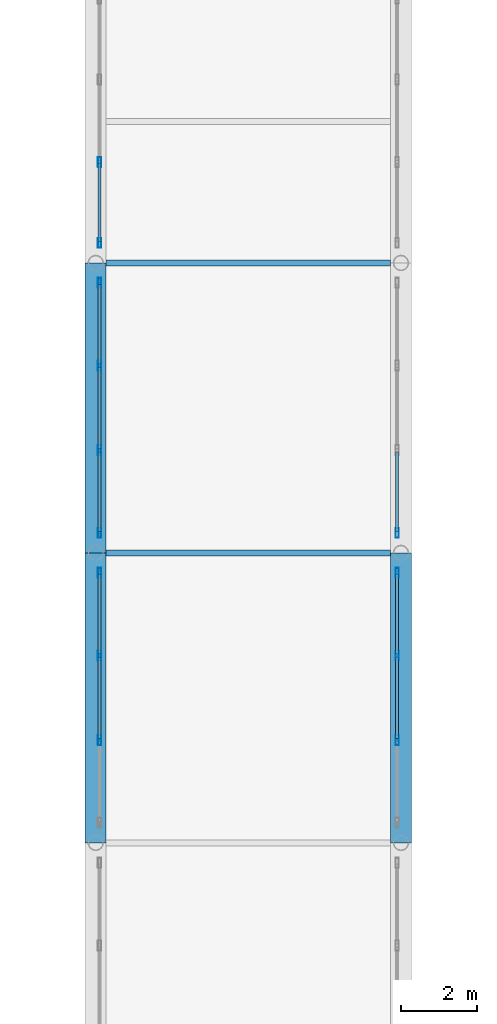
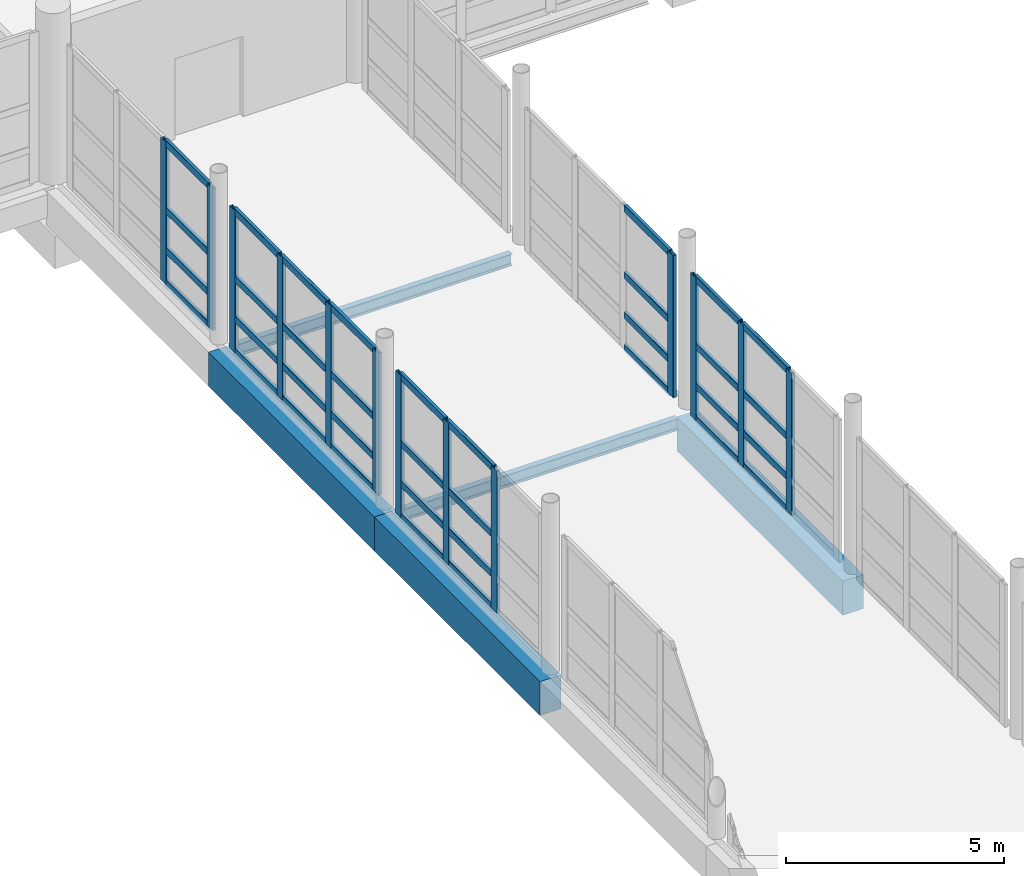
# One storey, part 58 of 147: 49 members, 5 beams, 5 elements without a shape of their own.
"""IFC4 building model written with IfcOpenShell, lengths in metres."""

from ifc_helpers import new_model, si_unit, direction, frame, origin, origin_2d, place, context, subcontext, project, spatial, rectangle, hollow_rectangle, i_section, extrude, material, material_profile, profile_set, type_object, element, aggregate, save


model = new_model("IFC4")

# Units and contexts
model_context = context("Model", 3, precision=1e-05, world=origin(), true_north=direction((0.0, 1.0)))
body_context = subcontext(model_context, "Body", "Model", "MODEL_VIEW")
ifc_project = project(units=[si_unit("LENGTHUNIT", "METRE"), si_unit("AREAUNIT", "SQUARE_METRE"), si_unit("VOLUMEUNIT", "CUBIC_METRE"), si_unit("PLANEANGLEUNIT", "RADIAN"), si_unit("MASSUNIT", "GRAM", prefix="KILO")], contexts=[model_context])

# Site, building, storey
site_placement = place(None, origin())
site = spatial("IfcSite", under=ifc_project, at=site_placement, CompositionType="ELEMENT")
building_placement = place(site_placement, origin())
building = spatial("IfcBuilding", under=site, at=building_placement, Name="Khelvaren Railside Concert Hall", CompositionType="ELEMENT")
storey_placement = place(building_placement, frame((0.0, 0.0, 5.39990234375)))
storey = spatial("IfcBuildingStorey", under=building, at=storey_placement, Name="L01", CompositionType="ELEMENT", Elevation=5.39990234375)

# Curtain wall, members
ifc_material_1 = material(Name="Acoustic laminated crystal facade glass", Category="glass")
curtain_wall_type = type_object("IfcCurtainWallType", Name="CW78", PredefinedType="USERDEFINED", material=ifc_material_1)
curtain_wall_1_placement = place(storey_placement, origin())
curtain_wall_1 = element("IfcCurtainWall", 1, at=curtain_wall_1_placement, inside=storey, type_object=curtain_wall_type, Name="Unitised Curtain Wall CW-LB4-L01-W4", ObjectType="UNITISED CURTAIN WALL", PredefinedType="USERDEFINED")
ifc_material_2 = material(Name="Anodised architectural aluminium 6063-T6", Category="aluminium")
ifc_material_profile_1 = material_profile(ifc_material_2, hollow_rectangle(XDim=0.0849609375, YDim=0.260009765625, WallThickness=0.0048828125, InnerFilletRadius=0.0029296875, OuterFilletRadius=0.0048828125, at=origin_2d()), Name="CWM 85x260x5")
ifc_profile_set_1 = profile_set([ifc_material_profile_1], Name="Anodised architectural aluminium 6063-T6")
member_type_1 = type_object("IfcMemberType", Name="CWM40", PredefinedType="MULLION", material=ifc_profile_set_1)
member_1_placement = place(storey_placement, frame((160.10009765625, 63.493408203125, 0.0), z_axis=(0.0, 0.0, 1.0), x_axis=(-1.0, 0.0, 0.0)))
member_1 = element("IfcMember", 2, at=member_1_placement, type_object=member_type_1, Name="CW78 mullion 2", PredefinedType="MULLION", context=body_context, shape_type="SweptSolid", body=[
    extrude(hollow_rectangle(XDim=0.0849609375, YDim=0.260009765625, WallThickness=0.0048828125, InnerFilletRadius=0.0029296875, OuterFilletRadius=0.0048828125, at=origin_2d()), origin(), (0.0, 0.0, 1.0), 3.97998046875),
])
member_2_placement = place(storey_placement, frame((160.10009765625, 65.706787109375, 0.0), z_axis=(0.0, 0.0, 1.0), x_axis=(-1.0, 0.0, 0.0)))
member_2 = element("IfcMember", 3, at=member_2_placement, type_object=member_type_1, Name="CW78 mullion 3", PredefinedType="MULLION", context=body_context, shape_type="SweptSolid", body=[
    extrude(hollow_rectangle(XDim=0.0849609375, YDim=0.260009765625, WallThickness=0.0048828125, InnerFilletRadius=0.0029296875, OuterFilletRadius=0.0048828125, at=origin_2d()), origin(), (0.0, 0.0, 1.0), 3.97998046875),
])
member_3_placement = place(storey_placement, frame((160.10009765625, 67.87744140625, 0.0), z_axis=(0.0, 0.0, 1.0), x_axis=(-1.0, 0.0, 0.0)))
member_3 = element("IfcMember", 4, at=member_3_placement, type_object=member_type_1, Name="CW78 mullion 4", PredefinedType="MULLION", context=body_context, shape_type="SweptSolid", body=[
    extrude(hollow_rectangle(XDim=0.0849609375, YDim=0.260009765625, WallThickness=0.0048828125, InnerFilletRadius=0.0029296875, OuterFilletRadius=0.0048828125, at=origin_2d()), origin(), (0.0, 0.0, 1.0), 3.97998046875),
])

curtain_wall_2_placement = place(storey_placement, origin())
curtain_wall_2 = element("IfcCurtainWall", 5, at=curtain_wall_2_placement, inside=storey, type_object=curtain_wall_type, Name="Unitised Curtain Wall CW-LB4-L01-E4", ObjectType="UNITISED CURTAIN WALL", PredefinedType="USERDEFINED")
member_4_placement = place(storey_placement, frame((167.89990234375, 67.87744140625, 0.0), z_axis=(0.0, 0.0, 1.0), x_axis=(1.0, 0.0, 0.0)))
member_4 = element("IfcMember", 6, at=member_4_placement, type_object=member_type_1, Name="CW78 mullion 1", PredefinedType="MULLION", context=body_context, shape_type="SweptSolid", body=[
    extrude(hollow_rectangle(XDim=0.0849609375, YDim=0.260009765625, WallThickness=0.0048828125, InnerFilletRadius=0.0029296875, OuterFilletRadius=0.0048828125, at=origin_2d()), origin(), (0.0, 0.0, 1.0), 3.97998046875),
])
member_5_placement = place(storey_placement, frame((167.89990234375, 65.706787109375, 0.0), z_axis=(0.0, 0.0, 1.0), x_axis=(1.0, 0.0, 0.0)))
member_5 = element("IfcMember", 7, at=member_5_placement, type_object=member_type_1, Name="CW78 mullion 2", PredefinedType="MULLION", context=body_context, shape_type="SweptSolid", body=[
    extrude(hollow_rectangle(XDim=0.0849609375, YDim=0.260009765625, WallThickness=0.0048828125, InnerFilletRadius=0.0029296875, OuterFilletRadius=0.0048828125, at=origin_2d()), origin(), (0.0, 0.0, 1.0), 3.97998046875),
])
member_6_placement = place(storey_placement, frame((167.89990234375, 63.493408203125, 0.0), z_axis=(0.0, 0.0, 1.0), x_axis=(1.0, 0.0, 0.0)))
member_6 = element("IfcMember", 8, at=member_6_placement, type_object=member_type_1, Name="CW78 mullion 3", PredefinedType="MULLION", context=body_context, shape_type="SweptSolid", body=[
    extrude(hollow_rectangle(XDim=0.0849609375, YDim=0.260009765625, WallThickness=0.0048828125, InnerFilletRadius=0.0029296875, OuterFilletRadius=0.0048828125, at=origin_2d()), origin(), (0.0, 0.0, 1.0), 3.97998046875),
])

curtain_wall_3_placement = place(storey_placement, origin())
curtain_wall_3 = element("IfcCurtainWall", 9, at=curtain_wall_3_placement, inside=storey, type_object=curtain_wall_type, Name="Unitised Curtain Wall CW-LB4-L01-W5", ObjectType="UNITISED CURTAIN WALL", PredefinedType="USERDEFINED")
member_7_placement = place(storey_placement, frame((160.10009765625, 68.922607421875, 0.0), z_axis=(0.0, 0.0, 1.0), x_axis=(-1.0, 0.0, 0.0)))
member_7 = element("IfcMember", 10, at=member_7_placement, type_object=member_type_1, Name="CW78 mullion 1", PredefinedType="MULLION", context=body_context, shape_type="SweptSolid", body=[
    extrude(hollow_rectangle(XDim=0.0849609375, YDim=0.260009765625, WallThickness=0.0048828125, InnerFilletRadius=0.0029296875, OuterFilletRadius=0.0048828125, at=origin_2d()), origin(), (0.0, 0.0, 1.0), 3.97998046875),
])
member_8_placement = place(storey_placement, frame((160.10009765625, 71.09326171875, 0.0), z_axis=(0.0, 0.0, 1.0), x_axis=(-1.0, 0.0, 0.0)))
member_8 = element("IfcMember", 11, at=member_8_placement, type_object=member_type_1, Name="CW78 mullion 2", PredefinedType="MULLION", context=body_context, shape_type="SweptSolid", body=[
    extrude(hollow_rectangle(XDim=0.0849609375, YDim=0.260009765625, WallThickness=0.0048828125, InnerFilletRadius=0.0029296875, OuterFilletRadius=0.0048828125, at=origin_2d()), origin(), (0.0, 0.0, 1.0), 3.97998046875),
])
member_9_placement = place(storey_placement, frame((160.10009765625, 73.306640625, 0.0), z_axis=(0.0, 0.0, 1.0), x_axis=(-1.0, 0.0, 0.0)))
member_9 = element("IfcMember", 12, at=member_9_placement, type_object=member_type_1, Name="CW78 mullion 3", PredefinedType="MULLION", context=body_context, shape_type="SweptSolid", body=[
    extrude(hollow_rectangle(XDim=0.0849609375, YDim=0.260009765625, WallThickness=0.0048828125, InnerFilletRadius=0.0029296875, OuterFilletRadius=0.0048828125, at=origin_2d()), origin(), (0.0, 0.0, 1.0), 3.97998046875),
])
member_10_placement = place(storey_placement, frame((160.10009765625, 75.4775390625, 0.0), z_axis=(0.0, 0.0, 1.0), x_axis=(-1.0, 0.0, 0.0)))
member_10 = element("IfcMember", 13, at=member_10_placement, type_object=member_type_1, Name="CW78 mullion 4", PredefinedType="MULLION", context=body_context, shape_type="SweptSolid", body=[
    extrude(hollow_rectangle(XDim=0.0849609375, YDim=0.260009765625, WallThickness=0.0048828125, InnerFilletRadius=0.0029296875, OuterFilletRadius=0.0048828125, at=origin_2d()), origin(), (0.0, 0.0, 1.0), 3.97998046875),
])

# Curtain wall, member
curtain_wall_4_placement = place(storey_placement, origin())
curtain_wall_4 = element("IfcCurtainWall", 14, at=curtain_wall_4_placement, inside=storey, type_object=curtain_wall_type, Name="Unitised Curtain Wall CW-LB4-L01-E5", ObjectType="UNITISED CURTAIN WALL", PredefinedType="USERDEFINED")
member_11_placement = place(storey_placement, frame((167.89990234375, 68.922607421875, 0.0), z_axis=(0.0, 0.0, 1.0), x_axis=(1.0, 0.0, 0.0)))
member_11 = element("IfcMember", 15, at=member_11_placement, type_object=member_type_1, Name="CW78 mullion 4", PredefinedType="MULLION", context=body_context, shape_type="SweptSolid", body=[
    extrude(hollow_rectangle(XDim=0.0849609375, YDim=0.260009765625, WallThickness=0.0048828125, InnerFilletRadius=0.0029296875, OuterFilletRadius=0.0048828125, at=origin_2d()), origin(), (0.0, 0.0, 1.0), 3.97998046875),
])

# Curtain wall, members
curtain_wall_5_placement = place(storey_placement, origin())
curtain_wall_5 = element("IfcCurtainWall", 16, at=curtain_wall_5_placement, inside=storey, type_object=curtain_wall_type, Name="Unitised Curtain Wall CW-LB4-L01-W6", ObjectType="UNITISED CURTAIN WALL", PredefinedType="USERDEFINED")
member_12_placement = place(storey_placement, frame((160.10009765625, 76.5224609375, 0.0), z_axis=(0.0, 0.0, 1.0), x_axis=(-1.0, 0.0, 0.0)))
member_12 = element("IfcMember", 17, at=member_12_placement, type_object=member_type_1, Name="CW78 mullion 1", PredefinedType="MULLION", context=body_context, shape_type="SweptSolid", body=[
    extrude(hollow_rectangle(XDim=0.0849609375, YDim=0.260009765625, WallThickness=0.0048828125, InnerFilletRadius=0.0029296875, OuterFilletRadius=0.0048828125, at=origin_2d()), origin(), (0.0, 0.0, 1.0), 3.97998046875),
])
member_13_placement = place(storey_placement, frame((160.10009765625, 78.643310546875, 0.0), z_axis=(0.0, 0.0, 1.0), x_axis=(-1.0, 0.0, 0.0)))
member_13 = element("IfcMember", 18, at=member_13_placement, type_object=member_type_1, Name="CW78 mullion 2", PredefinedType="MULLION", context=body_context, shape_type="SweptSolid", body=[
    extrude(hollow_rectangle(XDim=0.0849609375, YDim=0.260009765625, WallThickness=0.0048828125, InnerFilletRadius=0.0029296875, OuterFilletRadius=0.0048828125, at=origin_2d()), origin(), (0.0, 0.0, 1.0), 3.97998046875),
])

# Member
ifc_material_profile_2 = material_profile(ifc_material_2, hollow_rectangle(XDim=0.0849609375, YDim=0.18994140625, WallThickness=0.0048828125, InnerFilletRadius=0.0029296875, OuterFilletRadius=0.0048828125, at=origin_2d()), Name="CWT 85x190x5")
ifc_profile_set_2 = profile_set([ifc_material_profile_2], Name="Anodised architectural aluminium 6063-T6")
member_type_2 = type_object("IfcMemberType", Name="CWT31", PredefinedType="USERDEFINED", material=ifc_profile_set_2)
member_14_placement = place(storey_placement, frame((160.10009765625, 63.535888671875, 0.04248046875), z_axis=(0.0, 1.0, 0.0), x_axis=(-1.0, 0.0, 0.0)))
member_14 = element("IfcMember", 19, at=member_14_placement, type_object=member_type_2, Name="CW78 transom 2.1", ObjectType="TRANSOM", PredefinedType="USERDEFINED", context=body_context, shape_type="SweptSolid", body=[
    extrude(hollow_rectangle(XDim=0.0849609375, YDim=0.18994140625, WallThickness=0.0048828125, InnerFilletRadius=0.0029296875, OuterFilletRadius=0.0048828125, at=origin_2d()), origin(), (0.0, 0.0, 1.0), 2.128173828125),
])

member_15_placement = place(storey_placement, frame((160.10009765625, 63.535888671875, 0.9501953125), z_axis=(0.0, 1.0, 0.0), x_axis=(-1.0, 0.0, 0.0)))
member_15 = element("IfcMember", 20, at=member_15_placement, type_object=member_type_2, Name="CW78 transom 2.2", ObjectType="TRANSOM", PredefinedType="USERDEFINED", context=body_context, shape_type="SweptSolid", body=[
    extrude(hollow_rectangle(XDim=0.0849609375, YDim=0.18994140625, WallThickness=0.0048828125, InnerFilletRadius=0.0029296875, OuterFilletRadius=0.0048828125, at=origin_2d()), origin(), (0.0, 0.0, 1.0), 2.128173828125),
])

member_16_placement = place(storey_placement, frame((160.10009765625, 63.535888671875, 2.069580078125), z_axis=(0.0, 1.0, 0.0), x_axis=(-1.0, 0.0, 0.0)))
member_16 = element("IfcMember", 21, at=member_16_placement, type_object=member_type_2, Name="CW78 transom 2.3", ObjectType="TRANSOM", PredefinedType="USERDEFINED", context=body_context, shape_type="SweptSolid", body=[
    extrude(hollow_rectangle(XDim=0.0849609375, YDim=0.18994140625, WallThickness=0.0048828125, InnerFilletRadius=0.0029296875, OuterFilletRadius=0.0048828125, at=origin_2d()), origin(), (0.0, 0.0, 1.0), 2.128173828125),
])

member_17_placement = place(storey_placement, frame((160.10009765625, 63.535888671875, 3.9375), z_axis=(0.0, 1.0, 0.0), x_axis=(-1.0, 0.0, 0.0)))
member_17 = element("IfcMember", 22, at=member_17_placement, type_object=member_type_2, Name="CW78 transom 2.4", ObjectType="TRANSOM", PredefinedType="USERDEFINED", context=body_context, shape_type="SweptSolid", body=[
    extrude(hollow_rectangle(XDim=0.0849609375, YDim=0.18994140625, WallThickness=0.0048828125, InnerFilletRadius=0.0029296875, OuterFilletRadius=0.0048828125, at=origin_2d()), origin(), (0.0, 0.0, 1.0), 2.128173828125),
])

member_18_placement = place(storey_placement, frame((160.10009765625, 65.749267578125, 0.04248046875), z_axis=(0.0, 1.0, 0.0), x_axis=(-1.0, 0.0, 0.0)))
member_18 = element("IfcMember", 23, at=member_18_placement, type_object=member_type_2, Name="CW78 transom 3.1", ObjectType="TRANSOM", PredefinedType="USERDEFINED", context=body_context, shape_type="SweptSolid", body=[
    extrude(hollow_rectangle(XDim=0.0849609375, YDim=0.18994140625, WallThickness=0.0048828125, InnerFilletRadius=0.0029296875, OuterFilletRadius=0.0048828125, at=origin_2d()), origin(), (0.0, 0.0, 1.0), 2.085693359375),
])

member_19_placement = place(storey_placement, frame((160.10009765625, 65.749267578125, 0.9501953125), z_axis=(0.0, 1.0, 0.0), x_axis=(-1.0, 0.0, 0.0)))
member_19 = element("IfcMember", 24, at=member_19_placement, type_object=member_type_2, Name="CW78 transom 3.2", ObjectType="TRANSOM", PredefinedType="USERDEFINED", context=body_context, shape_type="SweptSolid", body=[
    extrude(hollow_rectangle(XDim=0.0849609375, YDim=0.18994140625, WallThickness=0.0048828125, InnerFilletRadius=0.0029296875, OuterFilletRadius=0.0048828125, at=origin_2d()), origin(), (0.0, 0.0, 1.0), 2.085693359375),
])

member_20_placement = place(storey_placement, frame((160.10009765625, 65.749267578125, 2.069580078125), z_axis=(0.0, 1.0, 0.0), x_axis=(-1.0, 0.0, 0.0)))
member_20 = element("IfcMember", 25, at=member_20_placement, type_object=member_type_2, Name="CW78 transom 3.3", ObjectType="TRANSOM", PredefinedType="USERDEFINED", context=body_context, shape_type="SweptSolid", body=[
    extrude(hollow_rectangle(XDim=0.0849609375, YDim=0.18994140625, WallThickness=0.0048828125, InnerFilletRadius=0.0029296875, OuterFilletRadius=0.0048828125, at=origin_2d()), origin(), (0.0, 0.0, 1.0), 2.085693359375),
])

member_21_placement = place(storey_placement, frame((160.10009765625, 65.749267578125, 3.9375), z_axis=(0.0, 1.0, 0.0), x_axis=(-1.0, 0.0, 0.0)))
member_21 = element("IfcMember", 26, at=member_21_placement, type_object=member_type_2, Name="CW78 transom 3.4", ObjectType="TRANSOM", PredefinedType="USERDEFINED", context=body_context, shape_type="SweptSolid", body=[
    extrude(hollow_rectangle(XDim=0.0849609375, YDim=0.18994140625, WallThickness=0.0048828125, InnerFilletRadius=0.0029296875, OuterFilletRadius=0.0048828125, at=origin_2d()), origin(), (0.0, 0.0, 1.0), 2.085693359375),
])

aggregate(curtain_wall_1, [member_1, member_2, member_3, member_14, member_15, member_16, member_17, member_18, member_19, member_20, member_21])

member_22_placement = place(storey_placement, frame((167.89990234375, 67.8349609375, 0.04248046875), z_axis=(0.0, -1.0, 0.0), x_axis=(1.0, 0.0, 0.0)))
member_22 = element("IfcMember", 27, at=member_22_placement, type_object=member_type_2, Name="CW78 transom 1.1", ObjectType="TRANSOM", PredefinedType="USERDEFINED", context=body_context, shape_type="SweptSolid", body=[
    extrude(hollow_rectangle(XDim=0.0849609375, YDim=0.18994140625, WallThickness=0.0048828125, InnerFilletRadius=0.0029296875, OuterFilletRadius=0.0048828125, at=origin_2d()), origin(), (0.0, 0.0, 1.0), 2.085693359375),
])

member_23_placement = place(storey_placement, frame((167.89990234375, 67.8349609375, 0.9501953125), z_axis=(0.0, -1.0, 0.0), x_axis=(1.0, 0.0, 0.0)))
member_23 = element("IfcMember", 28, at=member_23_placement, type_object=member_type_2, Name="CW78 transom 1.2", ObjectType="TRANSOM", PredefinedType="USERDEFINED", context=body_context, shape_type="SweptSolid", body=[
    extrude(hollow_rectangle(XDim=0.0849609375, YDim=0.18994140625, WallThickness=0.0048828125, InnerFilletRadius=0.0029296875, OuterFilletRadius=0.0048828125, at=origin_2d()), origin(), (0.0, 0.0, 1.0), 2.085693359375),
])

member_24_placement = place(storey_placement, frame((167.89990234375, 67.8349609375, 2.069580078125), z_axis=(0.0, -1.0, 0.0), x_axis=(1.0, 0.0, 0.0)))
member_24 = element("IfcMember", 29, at=member_24_placement, type_object=member_type_2, Name="CW78 transom 1.3", ObjectType="TRANSOM", PredefinedType="USERDEFINED", context=body_context, shape_type="SweptSolid", body=[
    extrude(hollow_rectangle(XDim=0.0849609375, YDim=0.18994140625, WallThickness=0.0048828125, InnerFilletRadius=0.0029296875, OuterFilletRadius=0.0048828125, at=origin_2d()), origin(), (0.0, 0.0, 1.0), 2.085693359375),
])

member_25_placement = place(storey_placement, frame((167.89990234375, 67.8349609375, 3.9375), z_axis=(0.0, -1.0, 0.0), x_axis=(1.0, 0.0, 0.0)))
member_25 = element("IfcMember", 30, at=member_25_placement, type_object=member_type_2, Name="CW78 transom 1.4", ObjectType="TRANSOM", PredefinedType="USERDEFINED", context=body_context, shape_type="SweptSolid", body=[
    extrude(hollow_rectangle(XDim=0.0849609375, YDim=0.18994140625, WallThickness=0.0048828125, InnerFilletRadius=0.0029296875, OuterFilletRadius=0.0048828125, at=origin_2d()), origin(), (0.0, 0.0, 1.0), 2.085693359375),
])

member_26_placement = place(storey_placement, frame((167.89990234375, 65.6640625, 0.04248046875), z_axis=(0.0, -1.0, 0.0), x_axis=(1.0, 0.0, 0.0)))
member_26 = element("IfcMember", 31, at=member_26_placement, type_object=member_type_2, Name="CW78 transom 2.1", ObjectType="TRANSOM", PredefinedType="USERDEFINED", context=body_context, shape_type="SweptSolid", body=[
    extrude(hollow_rectangle(XDim=0.0849609375, YDim=0.18994140625, WallThickness=0.0048828125, InnerFilletRadius=0.0029296875, OuterFilletRadius=0.0048828125, at=origin_2d()), origin(), (0.0, 0.0, 1.0), 2.128173828125),
])

member_27_placement = place(storey_placement, frame((167.89990234375, 65.6640625, 0.9501953125), z_axis=(0.0, -1.0, 0.0), x_axis=(1.0, 0.0, 0.0)))
member_27 = element("IfcMember", 32, at=member_27_placement, type_object=member_type_2, Name="CW78 transom 2.2", ObjectType="TRANSOM", PredefinedType="USERDEFINED", context=body_context, shape_type="SweptSolid", body=[
    extrude(hollow_rectangle(XDim=0.0849609375, YDim=0.18994140625, WallThickness=0.0048828125, InnerFilletRadius=0.0029296875, OuterFilletRadius=0.0048828125, at=origin_2d()), origin(), (0.0, 0.0, 1.0), 2.128173828125),
])

member_28_placement = place(storey_placement, frame((167.89990234375, 65.6640625, 2.069580078125), z_axis=(0.0, -1.0, 0.0), x_axis=(1.0, 0.0, 0.0)))
member_28 = element("IfcMember", 33, at=member_28_placement, type_object=member_type_2, Name="CW78 transom 2.3", ObjectType="TRANSOM", PredefinedType="USERDEFINED", context=body_context, shape_type="SweptSolid", body=[
    extrude(hollow_rectangle(XDim=0.0849609375, YDim=0.18994140625, WallThickness=0.0048828125, InnerFilletRadius=0.0029296875, OuterFilletRadius=0.0048828125, at=origin_2d()), origin(), (0.0, 0.0, 1.0), 2.128173828125),
])

member_29_placement = place(storey_placement, frame((167.89990234375, 65.6640625, 3.9375), z_axis=(0.0, -1.0, 0.0), x_axis=(1.0, 0.0, 0.0)))
member_29 = element("IfcMember", 34, at=member_29_placement, type_object=member_type_2, Name="CW78 transom 2.4", ObjectType="TRANSOM", PredefinedType="USERDEFINED", context=body_context, shape_type="SweptSolid", body=[
    extrude(hollow_rectangle(XDim=0.0849609375, YDim=0.18994140625, WallThickness=0.0048828125, InnerFilletRadius=0.0029296875, OuterFilletRadius=0.0048828125, at=origin_2d()), origin(), (0.0, 0.0, 1.0), 2.128173828125),
])

aggregate(curtain_wall_2, [member_4, member_5, member_6, member_22, member_23, member_24, member_25, member_26, member_27, member_28, member_29])

member_30_placement = place(storey_placement, frame((160.10009765625, 68.965087890625, 0.04248046875), z_axis=(0.0, 1.0, 0.0), x_axis=(-1.0, 0.0, 0.0)))
member_30 = element("IfcMember", 35, at=member_30_placement, type_object=member_type_2, Name="CW78 transom 1.1", ObjectType="TRANSOM", PredefinedType="USERDEFINED", context=body_context, shape_type="SweptSolid", body=[
    extrude(hollow_rectangle(XDim=0.0849609375, YDim=0.18994140625, WallThickness=0.0048828125, InnerFilletRadius=0.0029296875, OuterFilletRadius=0.0048828125, at=origin_2d()), origin(), (0.0, 0.0, 1.0), 2.085693359375),
])

member_31_placement = place(storey_placement, frame((160.10009765625, 68.965087890625, 0.9501953125), z_axis=(0.0, 1.0, 0.0), x_axis=(-1.0, 0.0, 0.0)))
member_31 = element("IfcMember", 36, at=member_31_placement, type_object=member_type_2, Name="CW78 transom 1.2", ObjectType="TRANSOM", PredefinedType="USERDEFINED", context=body_context, shape_type="SweptSolid", body=[
    extrude(hollow_rectangle(XDim=0.0849609375, YDim=0.18994140625, WallThickness=0.0048828125, InnerFilletRadius=0.0029296875, OuterFilletRadius=0.0048828125, at=origin_2d()), origin(), (0.0, 0.0, 1.0), 2.085693359375),
])

member_32_placement = place(storey_placement, frame((160.10009765625, 68.965087890625, 2.069580078125), z_axis=(0.0, 1.0, 0.0), x_axis=(-1.0, 0.0, 0.0)))
member_32 = element("IfcMember", 37, at=member_32_placement, type_object=member_type_2, Name="CW78 transom 1.3", ObjectType="TRANSOM", PredefinedType="USERDEFINED", context=body_context, shape_type="SweptSolid", body=[
    extrude(hollow_rectangle(XDim=0.0849609375, YDim=0.18994140625, WallThickness=0.0048828125, InnerFilletRadius=0.0029296875, OuterFilletRadius=0.0048828125, at=origin_2d()), origin(), (0.0, 0.0, 1.0), 2.085693359375),
])

member_33_placement = place(storey_placement, frame((160.10009765625, 68.965087890625, 3.9375), z_axis=(0.0, 1.0, 0.0), x_axis=(-1.0, 0.0, 0.0)))
member_33 = element("IfcMember", 38, at=member_33_placement, type_object=member_type_2, Name="CW78 transom 1.4", ObjectType="TRANSOM", PredefinedType="USERDEFINED", context=body_context, shape_type="SweptSolid", body=[
    extrude(hollow_rectangle(XDim=0.0849609375, YDim=0.18994140625, WallThickness=0.0048828125, InnerFilletRadius=0.0029296875, OuterFilletRadius=0.0048828125, at=origin_2d()), origin(), (0.0, 0.0, 1.0), 2.085693359375),
])

member_34_placement = place(storey_placement, frame((160.10009765625, 71.1357421875, 0.04248046875), z_axis=(0.0, 1.0, 0.0), x_axis=(-1.0, 0.0, 0.0)))
member_34 = element("IfcMember", 39, at=member_34_placement, type_object=member_type_2, Name="CW78 transom 2.1", ObjectType="TRANSOM", PredefinedType="USERDEFINED", context=body_context, shape_type="SweptSolid", body=[
    extrude(hollow_rectangle(XDim=0.0849609375, YDim=0.18994140625, WallThickness=0.0048828125, InnerFilletRadius=0.0029296875, OuterFilletRadius=0.0048828125, at=origin_2d()), origin(), (0.0, 0.0, 1.0), 2.12841796875),
])

member_35_placement = place(storey_placement, frame((160.10009765625, 71.1357421875, 0.9501953125), z_axis=(0.0, 1.0, 0.0), x_axis=(-1.0, 0.0, 0.0)))
member_35 = element("IfcMember", 40, at=member_35_placement, type_object=member_type_2, Name="CW78 transom 2.2", ObjectType="TRANSOM", PredefinedType="USERDEFINED", context=body_context, shape_type="SweptSolid", body=[
    extrude(hollow_rectangle(XDim=0.0849609375, YDim=0.18994140625, WallThickness=0.0048828125, InnerFilletRadius=0.0029296875, OuterFilletRadius=0.0048828125, at=origin_2d()), origin(), (0.0, 0.0, 1.0), 2.12841796875),
])

member_36_placement = place(storey_placement, frame((160.10009765625, 71.1357421875, 2.069580078125), z_axis=(0.0, 1.0, 0.0), x_axis=(-1.0, 0.0, 0.0)))
member_36 = element("IfcMember", 41, at=member_36_placement, type_object=member_type_2, Name="CW78 transom 2.3", ObjectType="TRANSOM", PredefinedType="USERDEFINED", context=body_context, shape_type="SweptSolid", body=[
    extrude(hollow_rectangle(XDim=0.0849609375, YDim=0.18994140625, WallThickness=0.0048828125, InnerFilletRadius=0.0029296875, OuterFilletRadius=0.0048828125, at=origin_2d()), origin(), (0.0, 0.0, 1.0), 2.12841796875),
])

member_37_placement = place(storey_placement, frame((160.10009765625, 71.1357421875, 3.9375), z_axis=(0.0, 1.0, 0.0), x_axis=(-1.0, 0.0, 0.0)))
member_37 = element("IfcMember", 42, at=member_37_placement, type_object=member_type_2, Name="CW78 transom 2.4", ObjectType="TRANSOM", PredefinedType="USERDEFINED", context=body_context, shape_type="SweptSolid", body=[
    extrude(hollow_rectangle(XDim=0.0849609375, YDim=0.18994140625, WallThickness=0.0048828125, InnerFilletRadius=0.0029296875, OuterFilletRadius=0.0048828125, at=origin_2d()), origin(), (0.0, 0.0, 1.0), 2.12841796875),
])

member_38_placement = place(storey_placement, frame((160.10009765625, 73.34912109375, 0.04248046875), z_axis=(0.0, 1.0, 0.0), x_axis=(-1.0, 0.0, 0.0)))
member_38 = element("IfcMember", 43, at=member_38_placement, type_object=member_type_2, Name="CW78 transom 3.1", ObjectType="TRANSOM", PredefinedType="USERDEFINED", context=body_context, shape_type="SweptSolid", body=[
    extrude(hollow_rectangle(XDim=0.0849609375, YDim=0.18994140625, WallThickness=0.0048828125, InnerFilletRadius=0.0029296875, OuterFilletRadius=0.0048828125, at=origin_2d()), origin(), (0.0, 0.0, 1.0), 2.0859375),
])

member_39_placement = place(storey_placement, frame((160.10009765625, 73.34912109375, 0.9501953125), z_axis=(0.0, 1.0, 0.0), x_axis=(-1.0, 0.0, 0.0)))
member_39 = element("IfcMember", 44, at=member_39_placement, type_object=member_type_2, Name="CW78 transom 3.2", ObjectType="TRANSOM", PredefinedType="USERDEFINED", context=body_context, shape_type="SweptSolid", body=[
    extrude(hollow_rectangle(XDim=0.0849609375, YDim=0.18994140625, WallThickness=0.0048828125, InnerFilletRadius=0.0029296875, OuterFilletRadius=0.0048828125, at=origin_2d()), origin(), (0.0, 0.0, 1.0), 2.0859375),
])

member_40_placement = place(storey_placement, frame((160.10009765625, 73.34912109375, 2.069580078125), z_axis=(0.0, 1.0, 0.0), x_axis=(-1.0, 0.0, 0.0)))
member_40 = element("IfcMember", 45, at=member_40_placement, type_object=member_type_2, Name="CW78 transom 3.3", ObjectType="TRANSOM", PredefinedType="USERDEFINED", context=body_context, shape_type="SweptSolid", body=[
    extrude(hollow_rectangle(XDim=0.0849609375, YDim=0.18994140625, WallThickness=0.0048828125, InnerFilletRadius=0.0029296875, OuterFilletRadius=0.0048828125, at=origin_2d()), origin(), (0.0, 0.0, 1.0), 2.0859375),
])

member_41_placement = place(storey_placement, frame((160.10009765625, 73.34912109375, 3.9375), z_axis=(0.0, 1.0, 0.0), x_axis=(-1.0, 0.0, 0.0)))
member_41 = element("IfcMember", 46, at=member_41_placement, type_object=member_type_2, Name="CW78 transom 3.4", ObjectType="TRANSOM", PredefinedType="USERDEFINED", context=body_context, shape_type="SweptSolid", body=[
    extrude(hollow_rectangle(XDim=0.0849609375, YDim=0.18994140625, WallThickness=0.0048828125, InnerFilletRadius=0.0029296875, OuterFilletRadius=0.0048828125, at=origin_2d()), origin(), (0.0, 0.0, 1.0), 2.0859375),
])

aggregate(curtain_wall_3, [member_7, member_8, member_9, member_10, member_30, member_31, member_32, member_33, member_34, member_35, member_36, member_37, member_38, member_39, member_40, member_41])

member_42_placement = place(storey_placement, frame((167.89990234375, 71.05078125, 0.04248046875), z_axis=(0.0, -1.0, 0.0), x_axis=(1.0, 0.0, 0.0)))
member_42 = element("IfcMember", 47, at=member_42_placement, type_object=member_type_2, Name="CW78 transom 3.1", ObjectType="TRANSOM", PredefinedType="USERDEFINED", context=body_context, shape_type="SweptSolid", body=[
    extrude(hollow_rectangle(XDim=0.0849609375, YDim=0.18994140625, WallThickness=0.0048828125, InnerFilletRadius=0.0029296875, OuterFilletRadius=0.0048828125, at=origin_2d()), origin(), (0.0, 0.0, 1.0), 2.085693359375),
])

member_43_placement = place(storey_placement, frame((167.89990234375, 71.05078125, 0.9501953125), z_axis=(0.0, -1.0, 0.0), x_axis=(1.0, 0.0, 0.0)))
member_43 = element("IfcMember", 48, at=member_43_placement, type_object=member_type_2, Name="CW78 transom 3.2", ObjectType="TRANSOM", PredefinedType="USERDEFINED", context=body_context, shape_type="SweptSolid", body=[
    extrude(hollow_rectangle(XDim=0.0849609375, YDim=0.18994140625, WallThickness=0.0048828125, InnerFilletRadius=0.0029296875, OuterFilletRadius=0.0048828125, at=origin_2d()), origin(), (0.0, 0.0, 1.0), 2.085693359375),
])

member_44_placement = place(storey_placement, frame((167.89990234375, 71.05078125, 2.069580078125), z_axis=(0.0, -1.0, 0.0), x_axis=(1.0, 0.0, 0.0)))
member_44 = element("IfcMember", 49, at=member_44_placement, type_object=member_type_2, Name="CW78 transom 3.3", ObjectType="TRANSOM", PredefinedType="USERDEFINED", context=body_context, shape_type="SweptSolid", body=[
    extrude(hollow_rectangle(XDim=0.0849609375, YDim=0.18994140625, WallThickness=0.0048828125, InnerFilletRadius=0.0029296875, OuterFilletRadius=0.0048828125, at=origin_2d()), origin(), (0.0, 0.0, 1.0), 2.085693359375),
])

member_45_placement = place(storey_placement, frame((167.89990234375, 71.05078125, 3.9375), z_axis=(0.0, -1.0, 0.0), x_axis=(1.0, 0.0, 0.0)))
member_45 = element("IfcMember", 50, at=member_45_placement, type_object=member_type_2, Name="CW78 transom 3.4", ObjectType="TRANSOM", PredefinedType="USERDEFINED", context=body_context, shape_type="SweptSolid", body=[
    extrude(hollow_rectangle(XDim=0.0849609375, YDim=0.18994140625, WallThickness=0.0048828125, InnerFilletRadius=0.0029296875, OuterFilletRadius=0.0048828125, at=origin_2d()), origin(), (0.0, 0.0, 1.0), 2.085693359375),
])

aggregate(curtain_wall_4, [member_11, member_42, member_43, member_44, member_45])

member_46_placement = place(storey_placement, frame((160.10009765625, 76.56494140625, 0.04248046875), z_axis=(0.0, 1.0, 0.0), x_axis=(-1.0, 0.0, 0.0)))
member_46 = element("IfcMember", 51, at=member_46_placement, type_object=member_type_2, Name="CW78 transom 1.1", ObjectType="TRANSOM", PredefinedType="USERDEFINED", context=body_context, shape_type="SweptSolid", body=[
    extrude(hollow_rectangle(XDim=0.0849609375, YDim=0.18994140625, WallThickness=0.0048828125, InnerFilletRadius=0.0029296875, OuterFilletRadius=0.0048828125, at=origin_2d()), origin(), (0.0, 0.0, 1.0), 2.035888671875),
])

member_47_placement = place(storey_placement, frame((160.10009765625, 76.56494140625, 0.9501953125), z_axis=(0.0, 1.0, 0.0), x_axis=(-1.0, 0.0, 0.0)))
member_47 = element("IfcMember", 52, at=member_47_placement, type_object=member_type_2, Name="CW78 transom 1.2", ObjectType="TRANSOM", PredefinedType="USERDEFINED", context=body_context, shape_type="SweptSolid", body=[
    extrude(hollow_rectangle(XDim=0.0849609375, YDim=0.18994140625, WallThickness=0.0048828125, InnerFilletRadius=0.0029296875, OuterFilletRadius=0.0048828125, at=origin_2d()), origin(), (0.0, 0.0, 1.0), 2.035888671875),
])

member_48_placement = place(storey_placement, frame((160.10009765625, 76.56494140625, 2.069580078125), z_axis=(0.0, 1.0, 0.0), x_axis=(-1.0, 0.0, 0.0)))
member_48 = element("IfcMember", 53, at=member_48_placement, type_object=member_type_2, Name="CW78 transom 1.3", ObjectType="TRANSOM", PredefinedType="USERDEFINED", context=body_context, shape_type="SweptSolid", body=[
    extrude(hollow_rectangle(XDim=0.0849609375, YDim=0.18994140625, WallThickness=0.0048828125, InnerFilletRadius=0.0029296875, OuterFilletRadius=0.0048828125, at=origin_2d()), origin(), (0.0, 0.0, 1.0), 2.035888671875),
])

member_49_placement = place(storey_placement, frame((160.10009765625, 76.56494140625, 3.9375), z_axis=(0.0, 1.0, 0.0), x_axis=(-1.0, 0.0, 0.0)))
member_49 = element("IfcMember", 54, at=member_49_placement, type_object=member_type_2, Name="CW78 transom 1.4", ObjectType="TRANSOM", PredefinedType="USERDEFINED", context=body_context, shape_type="SweptSolid", body=[
    extrude(hollow_rectangle(XDim=0.0849609375, YDim=0.18994140625, WallThickness=0.0048828125, InnerFilletRadius=0.0029296875, OuterFilletRadius=0.0048828125, at=origin_2d()), origin(), (0.0, 0.0, 1.0), 2.035888671875),
])

aggregate(curtain_wall_5, [member_12, member_13, member_46, member_47, member_48, member_49])

# Beams
ifc_material_3 = material(Name="Concrete C40/50", Category="concrete")
ifc_material_profile_3 = material_profile(ifc_material_3, rectangle(XDim=0.550048828125, YDim=0.949951171875, at=origin_2d()), Name="RCB 550x950")
ifc_profile_set_3 = profile_set([ifc_material_profile_3], Name="Concrete C40/50")
beam_type_1 = type_object("IfcBeamType", Name="GR75", PredefinedType="T_BEAM", material=ifc_profile_set_3)
beam_1_placement = place(storey_placement, frame((160.0, 60.800048828125, -0.71484375), z_axis=(0.0, 1.0, 0.0), x_axis=(-1.0, 0.0, 0.0)))
element("IfcBeam", 55, at=beam_1_placement, inside=storey, type_object=beam_type_1, Name="East Backstage Artist Link Bridge L01 Bridge Girder 1.4", PredefinedType="T_BEAM", context=body_context, shape_type="SweptSolid", body=[
    extrude(rectangle(XDim=0.550048828125, YDim=0.949951171875, at=origin_2d()), origin(), (0.0, 0.0, 1.0), 7.599853515625),
])
beam_2_placement = place(storey_placement, frame((160.0, 68.39990234375, -0.71484375), z_axis=(0.0, 1.0, 0.0), x_axis=(-1.0, 0.0, 0.0)))
element("IfcBeam", 56, at=beam_2_placement, inside=storey, type_object=beam_type_1, Name="East Backstage Artist Link Bridge L01 Bridge Girder 1.5", PredefinedType="T_BEAM", context=body_context, shape_type="SweptSolid", body=[
    extrude(rectangle(XDim=0.550048828125, YDim=0.949951171875, at=origin_2d()), origin(), (0.0, 0.0, 1.0), 7.60009765625),
])
beam_3_placement = place(storey_placement, frame((168.0, 60.800048828125, -0.71484375), z_axis=(0.0, 1.0, 0.0), x_axis=(-1.0, 0.0, 0.0)))
element("IfcBeam", 57, at=beam_3_placement, inside=storey, type_object=beam_type_1, Name="East Backstage Artist Link Bridge L01 Bridge Girder 2.4", PredefinedType="T_BEAM", context=body_context, shape_type="SweptSolid", body=[
    extrude(rectangle(XDim=0.550048828125, YDim=0.949951171875, at=origin_2d()), origin(), (0.0, 0.0, 1.0), 7.599853515625),
])
ifc_material_4 = material(Name="Steel S355", Category="steel")
ifc_material_profile_4 = material_profile(ifc_material_4, i_section(OverallWidth=0.159912109375, OverallDepth=0.330078125, WebThickness=0.007568359375, FlangeThickness=0.011474609375, FilletRadius=0.01806640625, at=origin_2d()), Name="IPE 330")
ifc_profile_set_4 = profile_set([ifc_material_profile_4], Name="Steel S355")
beam_type_2 = type_object("IfcBeamType", Name="JS65", PredefinedType="JOIST", material=ifc_profile_set_4)
for number, where, z_axis, x_axis, name in (
    (58, (160.27490234375, 68.39990234375, -0.40478515625), (1.0, 0.0, 0.0), (0.0, 1.0, 0.0), "East Backstage Artist Link Bridge L01 Bridge Cross Joist 4"),
    (59, (160.27490234375, 76.0, -0.40478515625), (1.0, 0.0, 0.0), (0.0, 1.0, 0.0), "East Backstage Artist Link Bridge L01 Bridge Cross Joist 5"),
):
    element("IfcBeam", number, at=place(storey_placement, frame(where, z_axis=z_axis, x_axis=x_axis)), inside=storey, type_object=beam_type_2, Name=name, PredefinedType="JOIST", context=body_context, shape_type="SweptSolid", body=[
        extrude(i_section(OverallWidth=0.159912109375, OverallDepth=0.330078125, WebThickness=0.007568359375, FlangeThickness=0.011474609375, FilletRadius=0.01806640625, at=origin_2d()), origin(), (0.0, 0.0, 1.0), 7.4501953125),
    ])

save(model, "model.ifc")
